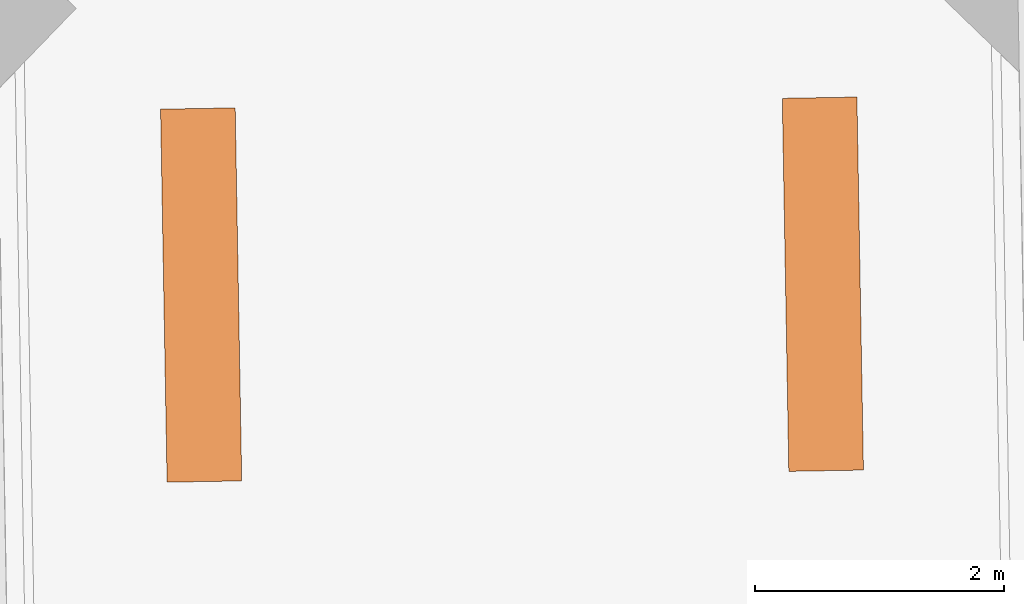
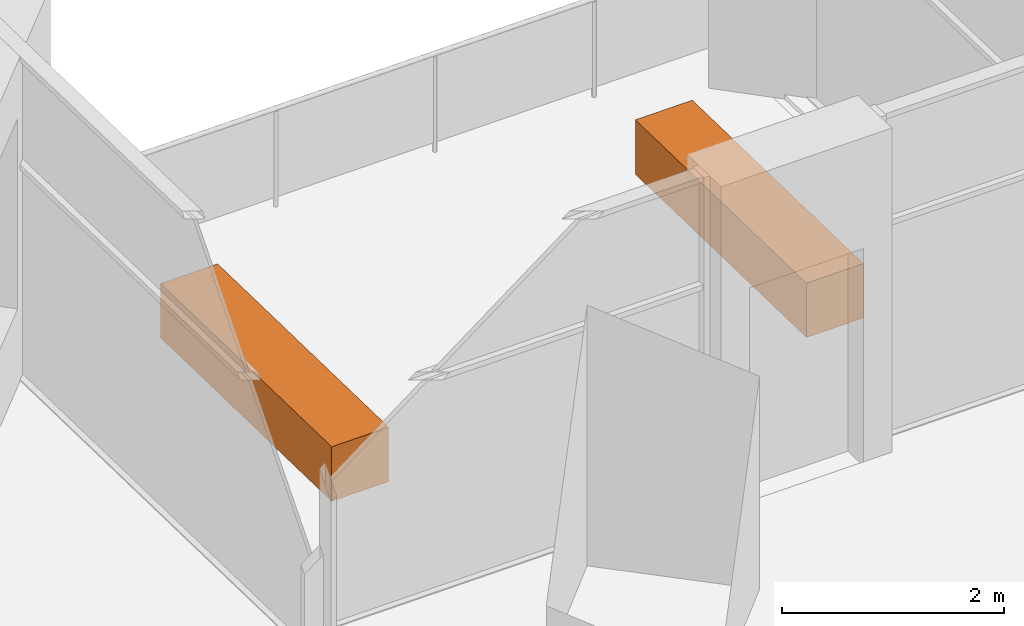
# One storey, part 13 of 13: 2 proxies.
"""IFC4 building model written with IfcOpenShell, lengths in metres."""

from ifc_helpers import new_model, si_unit, direction, frame, origin, origin_2d, place, context, subcontext, project, spatial, rectangle, extrude, element, save


model = new_model("IFC4")

# Units and contexts
model_context = context("Model", 3, precision=1e-05, world=origin(), true_north=direction((0.0, 1.0)))
body_context = subcontext(model_context, "Body", "Model", "MODEL_VIEW")
ifc_project = project(units=[si_unit("LENGTHUNIT", "METRE"), si_unit("AREAUNIT", "SQUARE_METRE"), si_unit("VOLUMEUNIT", "CUBIC_METRE"), si_unit("PLANEANGLEUNIT", "RADIAN"), si_unit("MASSUNIT", "GRAM", prefix="KILO")], contexts=[model_context])

# Site, building, storey
site_placement = place(None, origin())
site = spatial("IfcSite", under=ifc_project, at=site_placement, CompositionType="ELEMENT")
building_placement = place(site_placement, origin())
building = spatial("IfcBuilding", under=site, at=building_placement, Name="Dilmun Exchange Tower", CompositionType="ELEMENT")
storey_placement = place(building_placement, frame((0.0, 0.0, 213.300048828125)))
storey = spatial("IfcBuildingStorey", under=building, at=storey_placement, Name="L50", CompositionType="ELEMENT", Elevation=213.300048828125)

# Proxies
for number, where, z_axis, x_axis, name in (
    (1, (5.4716796875, 32.355712890625, 0.0), (0.0, 0.0, 1.0), (-0.017452406437, 0.999847695156, 0.0), "PLANTER Ghaf tree L50.1"),
    (2, (0.472412109375, 32.2685546875, 0.0), (0.0, 0.0, 1.0), (-0.017452406437, 0.999847695156, 0.0), "PLANTER Ghaf tree L50.2"),
):
    element("IfcBuildingElementProxy", number, at=place(storey_placement, frame(where, z_axis=z_axis, x_axis=x_axis)), inside=storey, Name=name, ObjectType="PLANTER", PredefinedType="USERDEFINED", context=body_context, shape_type="SweptSolid", body=[
        extrude(rectangle(XDim=3.0, YDim=0.60009765625, at=origin_2d()), origin(), (0.0, 0.0, 1.0), 0.60009765625),
    ])

save(model, "model.ifc")
